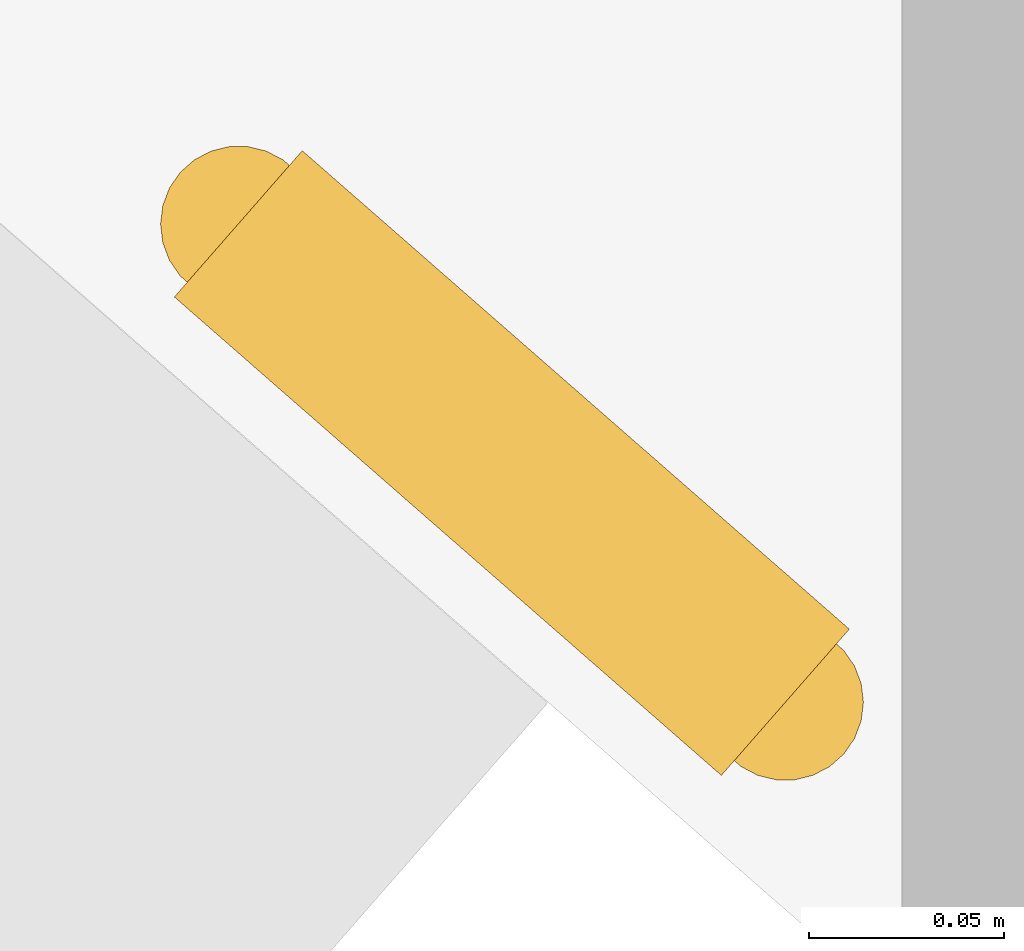
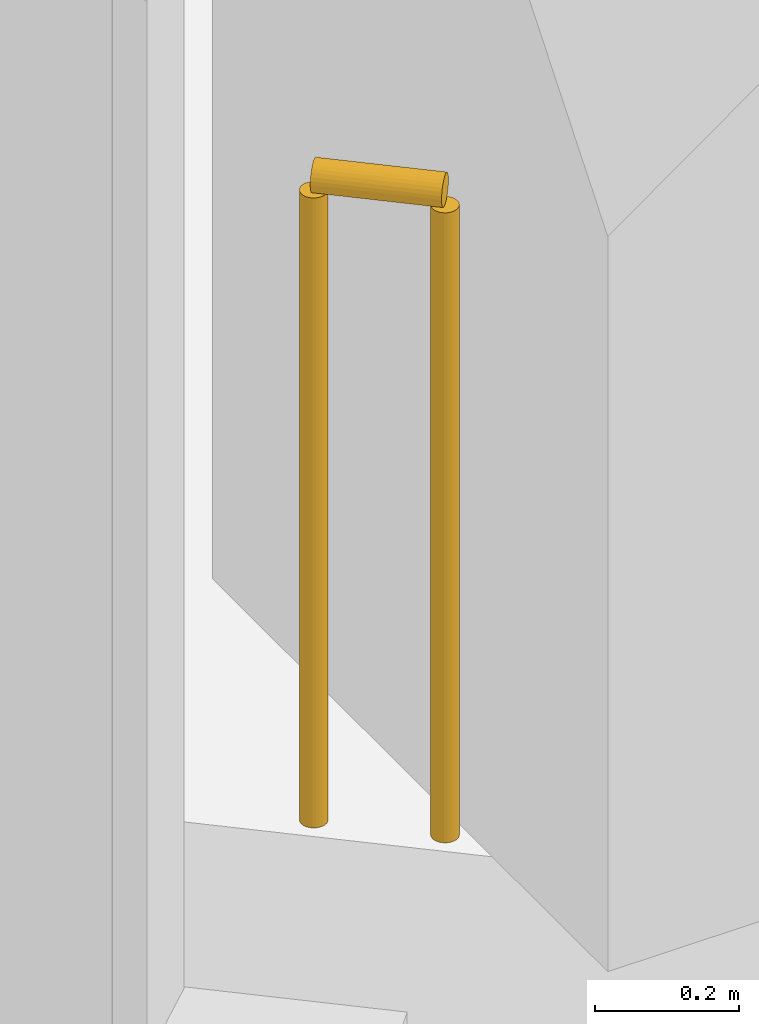
# One storey, part 33 of 38: 1 railing.
"""IFC4 building model written with IfcOpenShell, lengths in metres."""

from ifc_helpers import new_model, si_unit, direction, frame, origin, origin_2d, place, context, subcontext, project, spatial, circle, extrude, material, type_object, element, save


model = new_model("IFC4")

# Units and contexts
model_context = context("Model", 3, precision=1e-05, world=origin(), true_north=direction((0.0, 1.0)))
body_context = subcontext(model_context, "Body", "Model", "MODEL_VIEW")
ifc_project = project(units=[si_unit("LENGTHUNIT", "METRE"), si_unit("AREAUNIT", "SQUARE_METRE"), si_unit("VOLUMEUNIT", "CUBIC_METRE"), si_unit("PLANEANGLEUNIT", "RADIAN"), si_unit("MASSUNIT", "GRAM", prefix="KILO")], contexts=[model_context])

# Site, building, storey
site_placement = place(None, origin())
site = spatial("IfcSite", under=ifc_project, at=site_placement, CompositionType="ELEMENT")
building_placement = place(site_placement, origin())
building = spatial("IfcBuilding", under=site, at=building_placement, Name="Orlundy Tower", CompositionType="ELEMENT")
storey_placement = place(building_placement, frame((0.0, 0.0, 65.800048828125)))
storey = spatial("IfcBuildingStorey", under=building, at=storey_placement, Name="L15", CompositionType="ELEMENT", Elevation=65.800048828125)

# Railing
ifc_material = material(Name="Stainless steel bronze finish", Category="steel")
railing_type = type_object("IfcRailingType", Name="TG1 terrace guard", PredefinedType="GUARDRAIL", material=ifc_material)
railing_placement = place(storey_placement, frame((-46.7529296875, -38.10400390625, 0.0)))
element("IfcRailing", 1, at=railing_placement, inside=storey, type_object=railing_type, Name="Guard TG-L15-E01", PredefinedType="GUARDRAIL", context=body_context, shape_type="SweptSolid", body=[
    extrude(circle(Radius=0.02490234375, at=origin_2d()), frame((0.0, 0.0, 1.09521484375), z_axis=(-0.752739145175, 0.658318903968, 0.0), x_axis=(-0.658318903968, -0.752739145175, 0.0)), (0.0, 0.0, 1.0), 0.186279296875),
    extrude(circle(Radius=0.02001953125, at=origin_2d()), origin(), (0.0, 0.0, 1.0), 1.070068359375),
    extrude(circle(Radius=0.02001953125, at=origin_2d()), frame((-0.14013671875, 0.12255859375, 0.0)), (0.0, 0.0, 1.0), 1.070068359375),
])

save(model, "model.ifc")
